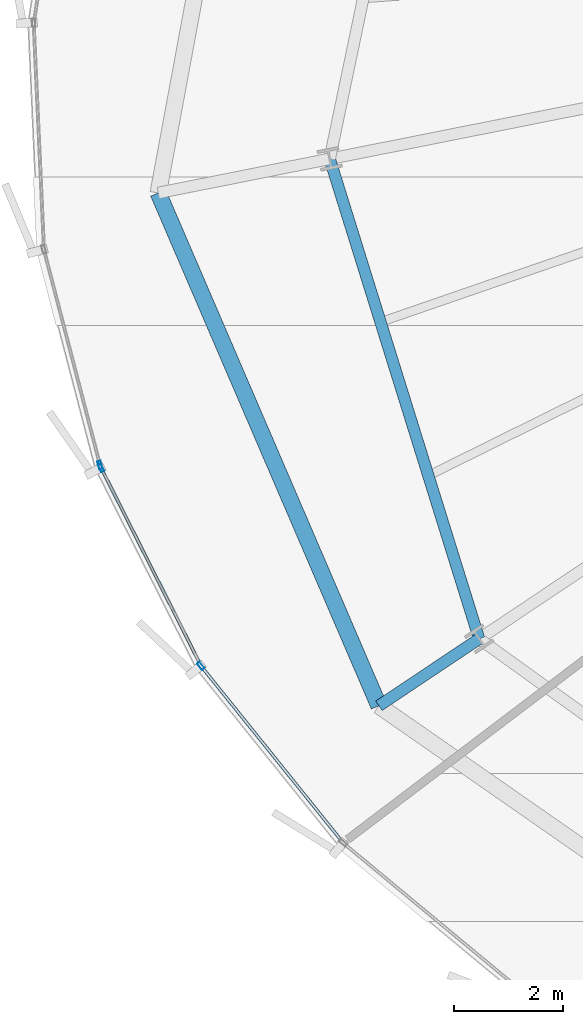
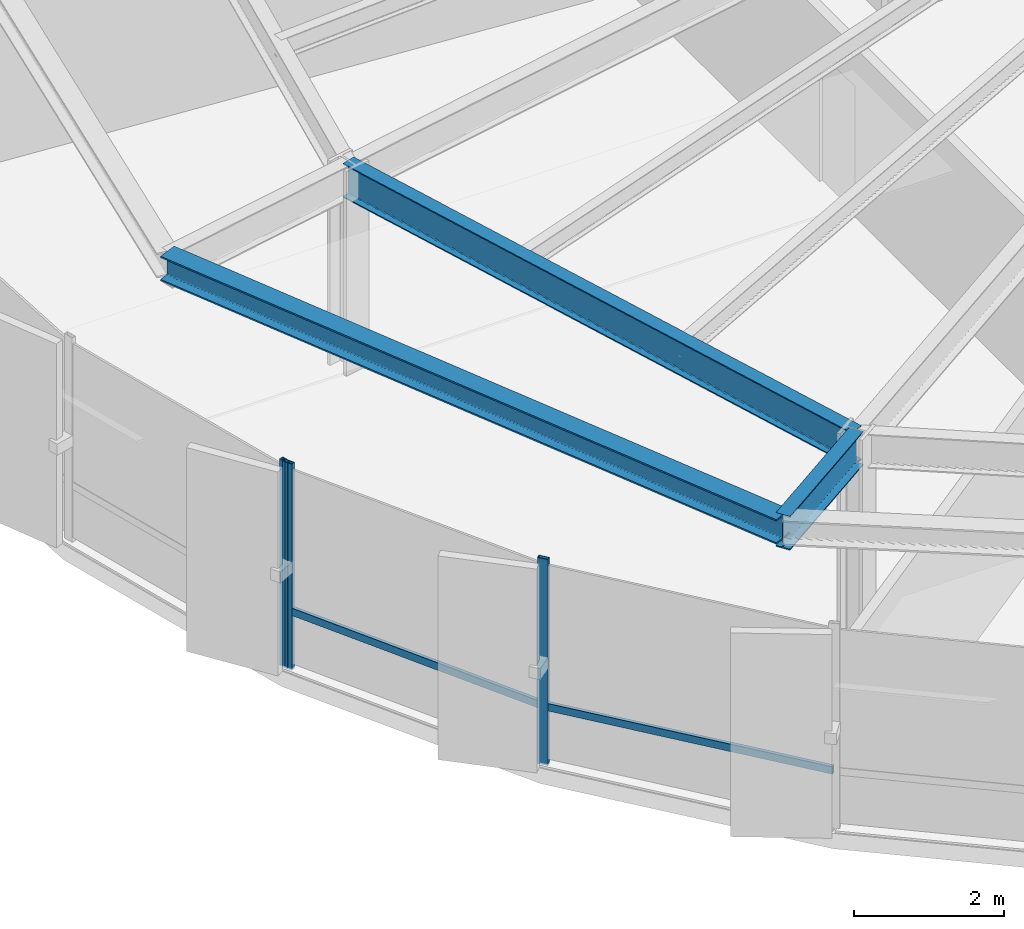
# One storey, part 3 of 33: 5 members, 3 beams, 2 elements without a shape of their own.
"""IFC4 building model written with IfcOpenShell, lengths in metres."""

from ifc_helpers import new_model, si_unit, direction, frame, origin, origin_2d, place, context, subcontext, project, spatial, hollow_rectangle, i_section, extrude, source, transform, mapped, material, layer, layer_set, material_profile, profile_set, type_object, element, aggregate, save


model = new_model("IFC4")

# Units and contexts
model_context = context("Model", 3, precision=1e-05, world=origin(), true_north=direction((0.0, 1.0)))
body_context = subcontext(model_context, "Body", "Model", "MODEL_VIEW")
ifc_project = project(units=[si_unit("LENGTHUNIT", "METRE"), si_unit("AREAUNIT", "SQUARE_METRE"), si_unit("VOLUMEUNIT", "CUBIC_METRE"), si_unit("PLANEANGLEUNIT", "RADIAN"), si_unit("MASSUNIT", "GRAM", prefix="KILO"), si_unit("THERMODYNAMICTEMPERATUREUNIT", "KELVIN")], contexts=[model_context])

# Site, building, storey
site_placement = place(None, origin())
site = spatial("IfcSite", under=ifc_project, at=site_placement, CompositionType="ELEMENT")
building_placement = place(site_placement, origin())
building = spatial("IfcBuilding", under=site, at=building_placement, Name="Kethvar Cultural Tower", CompositionType="ELEMENT")
storey_placement = place(building_placement, frame((0.0, 0.0, 118.0)))
storey = spatial("IfcBuildingStorey", under=building, at=storey_placement, Name="L29", CompositionType="ELEMENT", Elevation=118.0)

# Beams
ifc_material_1 = material(Name="Steel S355J2", Category="steel")
ifc_material_profile_1 = material_profile(ifc_material_1, i_section(OverallWidth=0.2099609375, OverallDepth=0.550048828125, WebThickness=0.010986328125, FlangeThickness=0.01708984375, FilletRadius=0.02392578125, at=origin_2d()), Name="Steel S355J2 — IPE550")
ifc_profile_set_1 = profile_set([ifc_material_profile_1], Name="Steel S355J2 — IPE550")
beam_type_1 = type_object("IfcBeamType", Name="BM-IPE550", PredefinedType="BEAM", material=ifc_profile_set_1)
shared_shape_1 = source(origin(), body_context, "Body", "SweptSolid", [
    extrude(i_section(OverallWidth=0.2099609375, OverallDepth=0.550048828125, WebThickness=0.010986328125, FlangeThickness=0.01708984375, FilletRadius=0.02392578125, at=origin_2d()), origin(), (0.0, 0.0, 1.0), 9.20068359375),
])
beam_1_placement = place(storey_placement, frame((24.185302734375, 23.3017578125, 3.072998046875), z_axis=(0.297298800285, -0.954784490526, 0.0), x_axis=(0.954784490526, 0.297298800285, 0.0)))
element("IfcBeam", 1, at=beam_1_placement, inside=storey, type_object=beam_type_1, Name="L29 Column Ring Tie Beam CR-09", PredefinedType="BEAM", context=body_context, shape_type="MappedRepresentation", body=[
    mapped(shared_shape_1, transform((0.0, 0.0, 0.0), scale=1.0)),
])
shared_shape_2 = source(origin(), body_context, "Body", "SweptSolid", [
    extrude(i_section(OverallWidth=0.2099609375, OverallDepth=0.550048828125, WebThickness=0.010986328125, FlangeThickness=0.01708984375, FilletRadius=0.02392578125, at=origin_2d()), origin(), (0.0, 0.0, 1.0), 2.206787109375),
])
beam_2_placement = place(storey_placement, frame((26.920654296875, 14.51708984375, 3.072998046875), z_axis=(-0.831471178226, -0.555567889443, 0.0), x_axis=(0.555567889443, -0.831471178226, 0.0)))
element("IfcBeam", 2, at=beam_2_placement, inside=storey, type_object=beam_type_1, Name="L29 Perimeter Cantilever Beam RC-10", PredefinedType="BEAM", context=body_context, shape_type="MappedRepresentation", body=[
    mapped(shared_shape_2, transform((0.0, 0.0, 0.0), scale=1.0)),
])
ifc_material_profile_2 = material_profile(ifc_material_1, i_section(OverallWidth=0.300048828125, OverallDepth=0.39990234375, WebThickness=0.013427734375, FlangeThickness=0.02392578125, FilletRadius=0.027099609375, at=origin_2d()), Name="Steel S355J2 — HEB400")
ifc_profile_set_2 = profile_set([ifc_material_profile_2], Name="Steel S355J2 — HEB400")
beam_type_2 = type_object("IfcBeamType", Name="BM-SP400", PredefinedType="SPANDREL", material=ifc_profile_set_2)
shared_shape_3 = source(origin(), body_context, "Body", "SweptSolid", [
    extrude(i_section(OverallWidth=0.300048828125, OverallDepth=0.39990234375, WebThickness=0.013427734375, FlangeThickness=0.02392578125, FilletRadius=0.027099609375, at=origin_2d()), origin(), (0.0, 0.0, 1.0), 10.218505859375),
])
beam_3_placement = place(storey_placement, frame((21.046875, 22.677490234375, 3.14794921875), z_axis=(0.395245306167, -0.918575608185, 0.0), x_axis=(0.918575608185, 0.395245306167, 0.0)))
element("IfcBeam", 3, at=beam_3_placement, inside=storey, type_object=beam_type_2, Name="L29 Perimeter Spandrel Beam SP-09", PredefinedType="SPANDREL", context=body_context, shape_type="MappedRepresentation", body=[
    mapped(shared_shape_3, transform((0.0, 0.0, 0.0), scale=1.0)),
])

# Curtain wall, member
ifc_material_2 = material(Name="Aluminium 6063-T6", Category="aluminium")
ifc_layer = layer(ifc_material_2, 0.179931640625, Name="Aluminium 6063-T6", Category="aluminium")
ifc_layer_set = layer_set([ifc_layer], Name="Aluminium 6063-T6 (180 mm)")
curtain_wall_type = type_object("IfcCurtainWallType", Name="CW-SYS-03-Z2", PredefinedType="NOTDEFINED", material=ifc_layer_set)
curtain_wall_1_placement = place(storey_placement, origin())
curtain_wall_1 = element("IfcCurtainWall", 4, at=curtain_wall_1_placement, inside=storey, type_object=curtain_wall_type, Name="L29 Curtain Wall Run 03", PredefinedType="NOTDEFINED")
ifc_material_profile_3 = material_profile(ifc_material_2, hollow_rectangle(XDim=0.06005859375, YDim=0.14990234375, WallThickness=0.0048828125, at=origin_2d()), Name="Aluminium 6063-T6 — RHS150x60x5")
ifc_profile_set_3 = profile_set([ifc_material_profile_3], Name="Aluminium 6063-T6 — RHS150x60x5")
member_type_1 = type_object("IfcMemberType", Name="CW-SYS-03-Z2-MUL", PredefinedType="MULLION", material=ifc_profile_set_3)
shared_shape_4 = source(origin(), body_context, "Body", "SweptSolid", [
    extrude(hollow_rectangle(XDim=0.06005859375, YDim=0.14990234375, WallThickness=0.0048828125, at=origin_2d()), origin(), (0.0, 0.0, 1.0), 3.35009765625),
])
member_1_placement = place(storey_placement, frame((19.982177734375, 17.69482421875, 0.0), z_axis=(0.0, 0.0, 1.0), x_axis=(0.967669563581, 0.252221362534, 0.0)))
member_1 = element("IfcMember", 5, at=member_1_placement, type_object=member_type_1, Name="CW-L29-R03 Mullion 7", PredefinedType="MULLION", context=body_context, shape_type="MappedRepresentation", body=[
    mapped(shared_shape_4, transform((0.0, 0.0, 0.0), scale=1.0)),
])
aggregate(curtain_wall_1, [member_1])

# Curtain wall, members
curtain_wall_2_placement = place(storey_placement, origin())
curtain_wall_2 = element("IfcCurtainWall", 6, at=curtain_wall_2_placement, inside=storey, type_object=curtain_wall_type, Name="L29 Curtain Wall Run 04", PredefinedType="NOTDEFINED")
member_2_placement = place(storey_placement, frame((20.0009765625, 17.64501953125, 0.0), z_axis=(0.0, 0.0, 1.0), x_axis=(0.892656631118, 0.450737328075, 0.0)))
member_2 = element("IfcMember", 7, at=member_2_placement, type_object=member_type_1, Name="CW-L29-R04 Mullion 1", PredefinedType="MULLION", context=body_context, shape_type="MappedRepresentation", body=[
    mapped(shared_shape_4, transform((0.0, 0.0, 0.0), scale=1.0)),
])
member_3_placement = place(storey_placement, frame((21.827392578125, 14.022705078125, 0.0), z_axis=(0.0, 0.0, 1.0), x_axis=(0.779337964931, 0.626603811364, 0.0)))
member_3 = element("IfcMember", 8, at=member_3_placement, type_object=member_type_1, Name="CW-L29-R04 Mullion 2", PredefinedType="MULLION", context=body_context, shape_type="MappedRepresentation", body=[
    mapped(shared_shape_4, transform((0.0, 0.0, 0.0), scale=1.0)),
])
ifc_material_profile_4 = material_profile(ifc_material_2, hollow_rectangle(XDim=0.054931640625, YDim=0.1201171875, WallThickness=0.00390625, at=origin_2d()), Name="Aluminium 6063-T6 — RHS120x55x4")
ifc_profile_set_4 = profile_set([ifc_material_profile_4], Name="Aluminium 6063-T6 — RHS120x55x4")
member_type_2 = type_object("IfcMemberType", Name="CW-SYS-03-Z2-TRN", PredefinedType="USERDEFINED", material=ifc_profile_set_4)
shared_shape_5 = source(origin(), body_context, "Body", "SweptSolid", [
    extrude(hollow_rectangle(XDim=0.054931640625, YDim=0.1201171875, WallThickness=0.00390625, at=origin_2d()), origin(), (0.0, 0.0, 1.0), 4.09228515625),
])
member_4_placement = place(storey_placement, frame((21.8544921875, 13.989013671875, 0.949951171875), z_axis=(0.626577517096, -0.779359105336, 0.0), x_axis=(0.779359105336, 0.626577517096, 0.0)))
member_4 = element("IfcMember", 9, at=member_4_placement, type_object=member_type_2, Name="CW-L29-R04 Transom 2", ObjectType="TRANSOM", PredefinedType="USERDEFINED", context=body_context, shape_type="MappedRepresentation", body=[
    mapped(shared_shape_5, transform((0.0, 0.0, 0.0), scale=1.0)),
])
shared_shape_6 = source(origin(), body_context, "Body", "SweptSolid", [
    extrude(hollow_rectangle(XDim=0.054931640625, YDim=0.1201171875, WallThickness=0.00390625, at=origin_2d()), origin(), (0.0, 0.0, 1.0), 4.033203125),
])
member_5_placement = place(storey_placement, frame((20.0029296875, 17.641357421875, 0.949951171875), z_axis=(0.450721004152, -0.89266487352, 0.0), x_axis=(0.89266487352, 0.450721004152, 0.0)))
member_5 = element("IfcMember", 10, at=member_5_placement, type_object=member_type_2, Name="CW-L29-R04 Transom 1", ObjectType="TRANSOM", PredefinedType="USERDEFINED", context=body_context, shape_type="MappedRepresentation", body=[
    mapped(shared_shape_6, transform((0.0, 0.0, 0.0), scale=1.0)),
])
aggregate(curtain_wall_2, [member_2, member_3, member_5, member_4])

save(model, "model.ifc")
